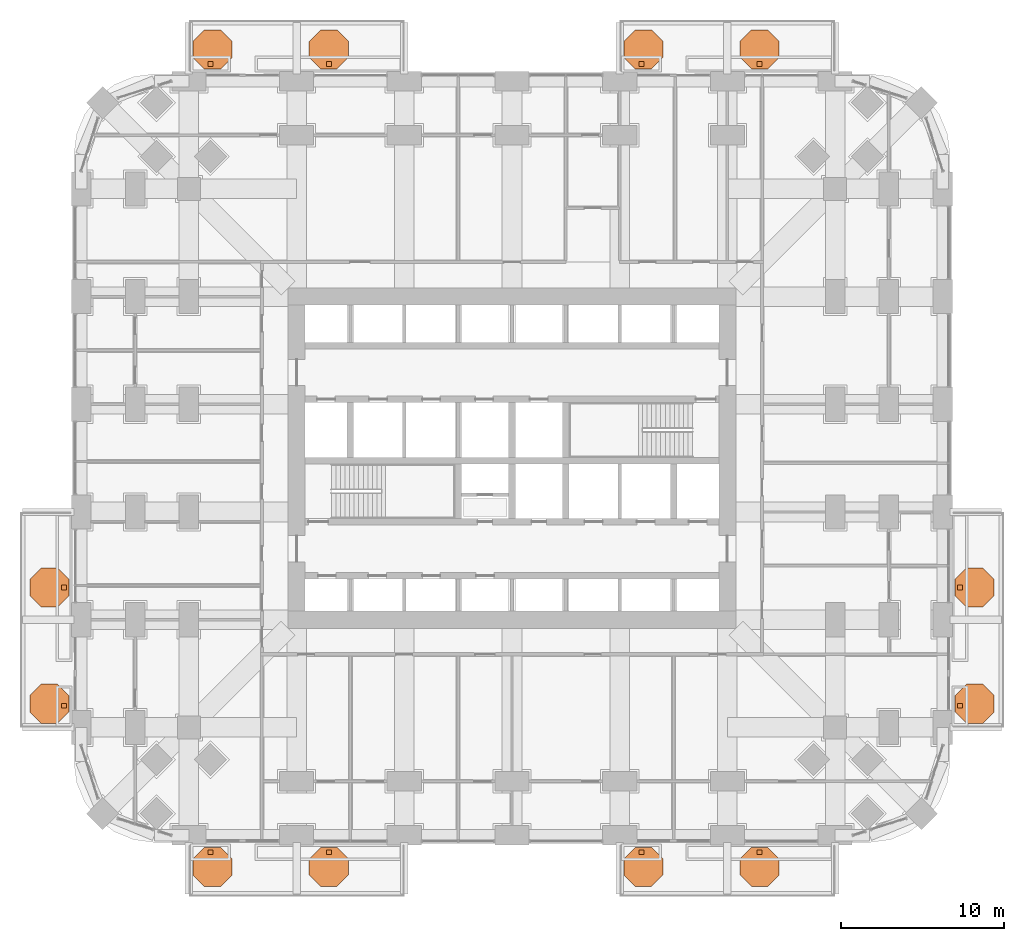
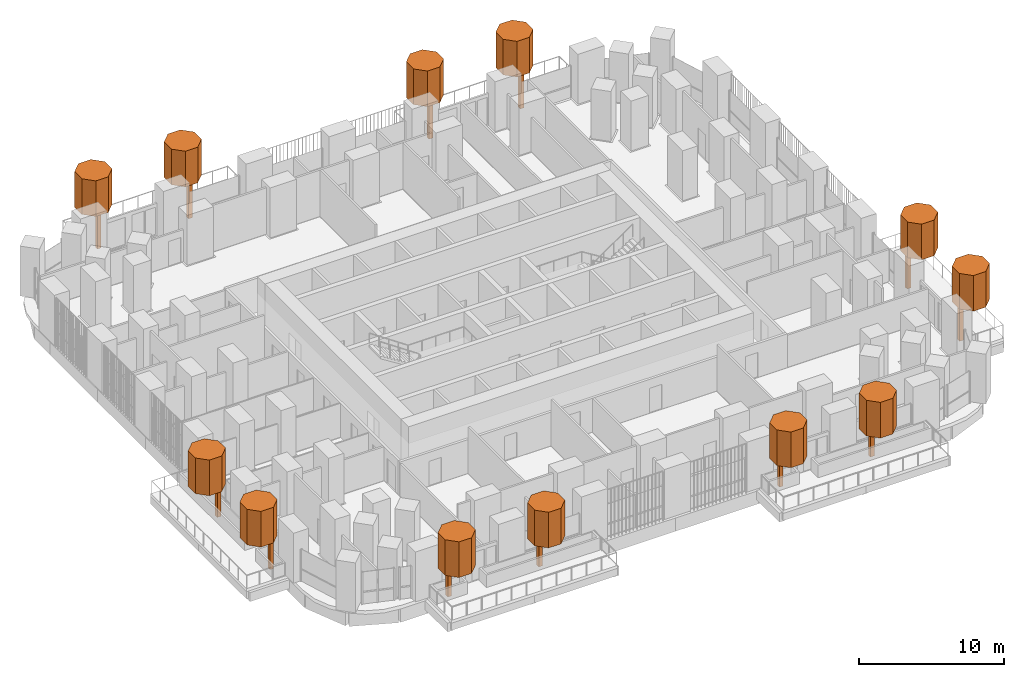
# One storey, part 27 of 27: 24 geographic elements.
"""IFC4 building model written with IfcOpenShell, lengths in metres."""

from ifc_helpers import new_model, si_unit, direction, frame, origin, origin_2d, place, context, subcontext, project, spatial, polyline, rectangle, outline, extrude, material, type_object, element, save


model = new_model("IFC4")

# Units and contexts
model_context = context("Model", 3, precision=1e-05, world=origin(), true_north=direction((0.0, 1.0)))
body_context = subcontext(model_context, "Body", "Model", "MODEL_VIEW")
ifc_project = project(units=[si_unit("LENGTHUNIT", "METRE"), si_unit("AREAUNIT", "SQUARE_METRE"), si_unit("VOLUMEUNIT", "CUBIC_METRE"), si_unit("PLANEANGLEUNIT", "RADIAN"), si_unit("MASSUNIT", "GRAM", prefix="KILO")], contexts=[model_context])

# Site, building, storey
site_placement = place(None, origin())
site = spatial("IfcSite", under=ifc_project, at=site_placement, CompositionType="ELEMENT")
building_placement = place(site_placement, origin())
building = spatial("IfcBuilding", under=site, at=building_placement, Name="Cobogo Forest Laboratory Tower", CompositionType="ELEMENT")
storey_placement = place(building_placement, frame((0.0, 0.0, 38.10009765625)))
storey = spatial("IfcBuildingStorey", under=building, at=storey_placement, Name="L08", CompositionType="ELEMENT", Elevation=38.10009765625)

# Geographic elements
ifc_material = material(Name="Planting", Category="plant")
geographic_element_type_1 = type_object("IfcGeographicElementType", Name="Tree trunk 300", PredefinedType="USERDEFINED", material=ifc_material)
for number, where, z_axis, x_axis, name in (
    (1, (7.925048828125, -1.050048828125, 0.0), (0.0, 0.0, 1.0), (1.0, 0.0, 0.0), "Tree trunk BAL-S1-PL1 L08"),
    (2, (15.175048828125, -1.050048828125, 0.0), (0.0, 0.0, 1.0), (1.0, 0.0, 0.0), "Tree trunk BAL-S1-PL2 L08"),
    (3, (34.324951171875, -1.050048828125, 0.0), (0.0, 0.0, 1.0), (1.0, 0.0, 0.0), "Tree trunk BAL-S2-PL1 L08"),
    (4, (41.574951171875, -1.050048828125, 0.0), (0.0, 0.0, 1.0), (1.0, 0.0, 0.0), "Tree trunk BAL-S2-PL2 L08"),
    (5, (53.85009765625, 7.925048828125, 0.0), (0.0, 0.0, 1.0), (1.0, 0.0, 0.0), "Tree trunk BAL-E1-PL1 L08"),
    (6, (53.85009765625, 15.175048828125, 0.0), (0.0, 0.0, 1.0), (1.0, 0.0, 0.0), "Tree trunk BAL-E1-PL2 L08"),
    (7, (7.925048828125, 47.25, 0.0), (0.0, 0.0, 1.0), (1.0, 0.0, 0.0), "Tree trunk BAL-N1-PL1 L08"),
    (8, (15.175048828125, 47.25, 0.0), (0.0, 0.0, 1.0), (1.0, 0.0, 0.0), "Tree trunk BAL-N1-PL2 L08"),
    (9, (34.324951171875, 47.25, 0.0), (0.0, 0.0, 1.0), (1.0, 0.0, 0.0), "Tree trunk BAL-N2-PL1 L08"),
    (10, (41.574951171875, 47.25, 0.0), (0.0, 0.0, 1.0), (1.0, 0.0, 0.0), "Tree trunk BAL-N2-PL2 L08"),
    (11, (-1.050048828125, 7.925048828125, 0.0), (0.0, 0.0, 1.0), (1.0, 0.0, 0.0), "Tree trunk BAL-W1-PL1 L08"),
    (12, (-1.050048828125, 15.175048828125, 0.0), (0.0, 0.0, 1.0), (1.0, 0.0, 0.0), "Tree trunk BAL-W1-PL2 L08"),
):
    element("IfcGeographicElement", number, at=place(storey_placement, frame(where, z_axis=z_axis, x_axis=x_axis)), inside=storey, type_object=geographic_element_type_1, Name=name, ObjectType="TREE TRUNK", PredefinedType="USERDEFINED", context=body_context, shape_type="SweptSolid", body=[
        extrude(rectangle(XDim=0.300048828125, YDim=0.300048828125, at=origin_2d()), origin(), (0.0, 0.0, 1.0), 2.89990234375),
    ])
geographic_element_type_2 = type_object("IfcGeographicElementType", Name="Tree, holm oak 5 m", PredefinedType="USERDEFINED", material=ifc_material)
geographic_element_1_placement = place(storey_placement, frame((0.0, 0.0, 2.89990234375)))
element("IfcGeographicElement", 13, at=geographic_element_1_placement, inside=storey, type_object=geographic_element_type_2, Name="Holm tree BAL-S1-PL1 L08", ObjectType="TREE", PredefinedType="USERDEFINED", context=body_context, shape_type="SweptSolid", body=[
    extrude(outline(polyline([(9.25, -2.447021484375), (9.25, -1.452880859375), (8.547119140625, -0.75), (7.552978515625, -0.75), (6.85009765625, -1.452880859375), (6.85009765625, -2.447021484375), (7.552978515625, -3.14990234375), (8.547119140625, -3.14990234375), (9.25, -2.447021484375)])), origin(), (0.0, 0.0, 1.0), 3.0),
])
geographic_element_2_placement = place(storey_placement, frame((0.0, 0.0, 2.89990234375)))
element("IfcGeographicElement", 14, at=geographic_element_2_placement, inside=storey, type_object=geographic_element_type_2, Name="Holm tree BAL-S1-PL2 L08", ObjectType="TREE", PredefinedType="USERDEFINED", context=body_context, shape_type="SweptSolid", body=[
    extrude(outline(polyline([(16.375, -2.447021484375), (16.375, -1.452880859375), (15.672119140625, -0.75), (14.677978515625, -0.75), (13.97509765625, -1.452880859375), (13.97509765625, -2.447021484375), (14.677978515625, -3.14990234375), (15.672119140625, -3.14990234375), (16.375, -2.447021484375)])), origin(), (0.0, 0.0, 1.0), 3.0),
])
geographic_element_3_placement = place(storey_placement, frame((0.0, 0.0, 2.89990234375)))
element("IfcGeographicElement", 15, at=geographic_element_3_placement, inside=storey, type_object=geographic_element_type_2, Name="Holm tree BAL-S2-PL1 L08", ObjectType="TREE", PredefinedType="USERDEFINED", context=body_context, shape_type="SweptSolid", body=[
    extrude(outline(polyline([(35.64990234375, -2.447021484375), (35.64990234375, -1.452880859375), (34.947021484375, -0.75), (33.952880859375, -0.75), (33.25, -1.452880859375), (33.25, -2.447021484375), (33.952880859375, -3.14990234375), (34.947021484375, -3.14990234375), (35.64990234375, -2.447021484375)])), origin(), (0.0, 0.0, 1.0), 3.0),
])
geographic_element_4_placement = place(storey_placement, frame((0.0, 0.0, 2.89990234375)))
element("IfcGeographicElement", 16, at=geographic_element_4_placement, inside=storey, type_object=geographic_element_type_2, Name="Holm tree BAL-S2-PL2 L08", ObjectType="TREE", PredefinedType="USERDEFINED", context=body_context, shape_type="SweptSolid", body=[
    extrude(outline(polyline([(42.77490234375, -2.447021484375), (42.77490234375, -1.452880859375), (42.072021484375, -0.75), (41.077880859375, -0.75), (40.375, -1.452880859375), (40.375, -2.447021484375), (41.077880859375, -3.14990234375), (42.072021484375, -3.14990234375), (42.77490234375, -2.447021484375)])), origin(), (0.0, 0.0, 1.0), 3.0),
])
geographic_element_5_placement = place(storey_placement, frame((0.0, 0.0, 2.89990234375)))
element("IfcGeographicElement", 17, at=geographic_element_5_placement, inside=storey, type_object=geographic_element_type_2, Name="Holm tree BAL-E1-PL1 L08", ObjectType="TREE", PredefinedType="USERDEFINED", context=body_context, shape_type="SweptSolid", body=[
    extrude(outline(polyline([(55.949951171875, 7.552978515625), (55.949951171875, 8.547119140625), (55.2470703125, 9.25), (54.2529296875, 9.25), (53.550048828125, 8.547119140625), (53.550048828125, 7.552978515625), (54.2529296875, 6.85009765625), (55.2470703125, 6.85009765625), (55.949951171875, 7.552978515625)])), origin(), (0.0, 0.0, 1.0), 3.0),
])
geographic_element_6_placement = place(storey_placement, frame((0.0, 0.0, 2.89990234375)))
element("IfcGeographicElement", 18, at=geographic_element_6_placement, inside=storey, type_object=geographic_element_type_2, Name="Holm tree BAL-E1-PL2 L08", ObjectType="TREE", PredefinedType="USERDEFINED", context=body_context, shape_type="SweptSolid", body=[
    extrude(outline(polyline([(55.949951171875, 14.677978515625), (55.949951171875, 15.672119140625), (55.2470703125, 16.375), (54.2529296875, 16.375), (53.550048828125, 15.672119140625), (53.550048828125, 14.677978515625), (54.2529296875, 13.97509765625), (55.2470703125, 13.97509765625), (55.949951171875, 14.677978515625)])), origin(), (0.0, 0.0, 1.0), 3.0),
])
geographic_element_7_placement = place(storey_placement, frame((0.0, 0.0, 2.89990234375)))
element("IfcGeographicElement", 19, at=geographic_element_7_placement, inside=storey, type_object=geographic_element_type_2, Name="Holm tree BAL-N1-PL1 L08", ObjectType="TREE", PredefinedType="USERDEFINED", context=body_context, shape_type="SweptSolid", body=[
    extrude(outline(polyline([(9.25, 47.65283203125), (9.25, 48.64697265625), (8.547119140625, 49.35009765625), (7.552978515625, 49.35009765625), (6.85009765625, 48.64697265625), (6.85009765625, 47.65283203125), (7.552978515625, 46.949951171875), (8.547119140625, 46.949951171875), (9.25, 47.65283203125)])), origin(), (0.0, 0.0, 1.0), 3.0),
])
geographic_element_8_placement = place(storey_placement, frame((0.0, 0.0, 2.89990234375)))
element("IfcGeographicElement", 20, at=geographic_element_8_placement, inside=storey, type_object=geographic_element_type_2, Name="Holm tree BAL-N1-PL2 L08", ObjectType="TREE", PredefinedType="USERDEFINED", context=body_context, shape_type="SweptSolid", body=[
    extrude(outline(polyline([(16.375, 47.65283203125), (16.375, 48.64697265625), (15.672119140625, 49.35009765625), (14.677978515625, 49.35009765625), (13.97509765625, 48.64697265625), (13.97509765625, 47.65283203125), (14.677978515625, 46.949951171875), (15.672119140625, 46.949951171875), (16.375, 47.65283203125)])), origin(), (0.0, 0.0, 1.0), 3.0),
])
geographic_element_9_placement = place(storey_placement, frame((0.0, 0.0, 2.89990234375)))
element("IfcGeographicElement", 21, at=geographic_element_9_placement, inside=storey, type_object=geographic_element_type_2, Name="Holm tree BAL-N2-PL1 L08", ObjectType="TREE", PredefinedType="USERDEFINED", context=body_context, shape_type="SweptSolid", body=[
    extrude(outline(polyline([(35.64990234375, 47.65283203125), (35.64990234375, 48.64697265625), (34.947021484375, 49.35009765625), (33.952880859375, 49.35009765625), (33.25, 48.64697265625), (33.25, 47.65283203125), (33.952880859375, 46.949951171875), (34.947021484375, 46.949951171875), (35.64990234375, 47.65283203125)])), origin(), (0.0, 0.0, 1.0), 3.0),
])
geographic_element_10_placement = place(storey_placement, frame((0.0, 0.0, 2.89990234375)))
element("IfcGeographicElement", 22, at=geographic_element_10_placement, inside=storey, type_object=geographic_element_type_2, Name="Holm tree BAL-N2-PL2 L08", ObjectType="TREE", PredefinedType="USERDEFINED", context=body_context, shape_type="SweptSolid", body=[
    extrude(outline(polyline([(42.77490234375, 47.65283203125), (42.77490234375, 48.64697265625), (42.072021484375, 49.35009765625), (41.077880859375, 49.35009765625), (40.375, 48.64697265625), (40.375, 47.65283203125), (41.077880859375, 46.949951171875), (42.072021484375, 46.949951171875), (42.77490234375, 47.65283203125)])), origin(), (0.0, 0.0, 1.0), 3.0),
])
geographic_element_11_placement = place(storey_placement, frame((0.0, 0.0, 2.89990234375)))
element("IfcGeographicElement", 23, at=geographic_element_11_placement, inside=storey, type_object=geographic_element_type_2, Name="Holm tree BAL-W1-PL1 L08", ObjectType="TREE", PredefinedType="USERDEFINED", context=body_context, shape_type="SweptSolid", body=[
    extrude(outline(polyline([(-0.75, 7.552978515625), (-0.75, 8.547119140625), (-1.452880859375, 9.25), (-2.447021484375, 9.25), (-3.14990234375, 8.547119140625), (-3.14990234375, 7.552978515625), (-2.447021484375, 6.85009765625), (-1.452880859375, 6.85009765625), (-0.75, 7.552978515625)])), origin(), (0.0, 0.0, 1.0), 3.0),
])
geographic_element_12_placement = place(storey_placement, frame((0.0, 0.0, 2.89990234375)))
element("IfcGeographicElement", 24, at=geographic_element_12_placement, inside=storey, type_object=geographic_element_type_2, Name="Holm tree BAL-W1-PL2 L08", ObjectType="TREE", PredefinedType="USERDEFINED", context=body_context, shape_type="SweptSolid", body=[
    extrude(outline(polyline([(-0.75, 14.677978515625), (-0.75, 15.672119140625), (-1.452880859375, 16.375), (-2.447021484375, 16.375), (-3.14990234375, 15.672119140625), (-3.14990234375, 14.677978515625), (-2.447021484375, 13.97509765625), (-1.452880859375, 13.97509765625), (-0.75, 14.677978515625)])), origin(), (0.0, 0.0, 1.0), 3.0),
])

save(model, "model.ifc")
